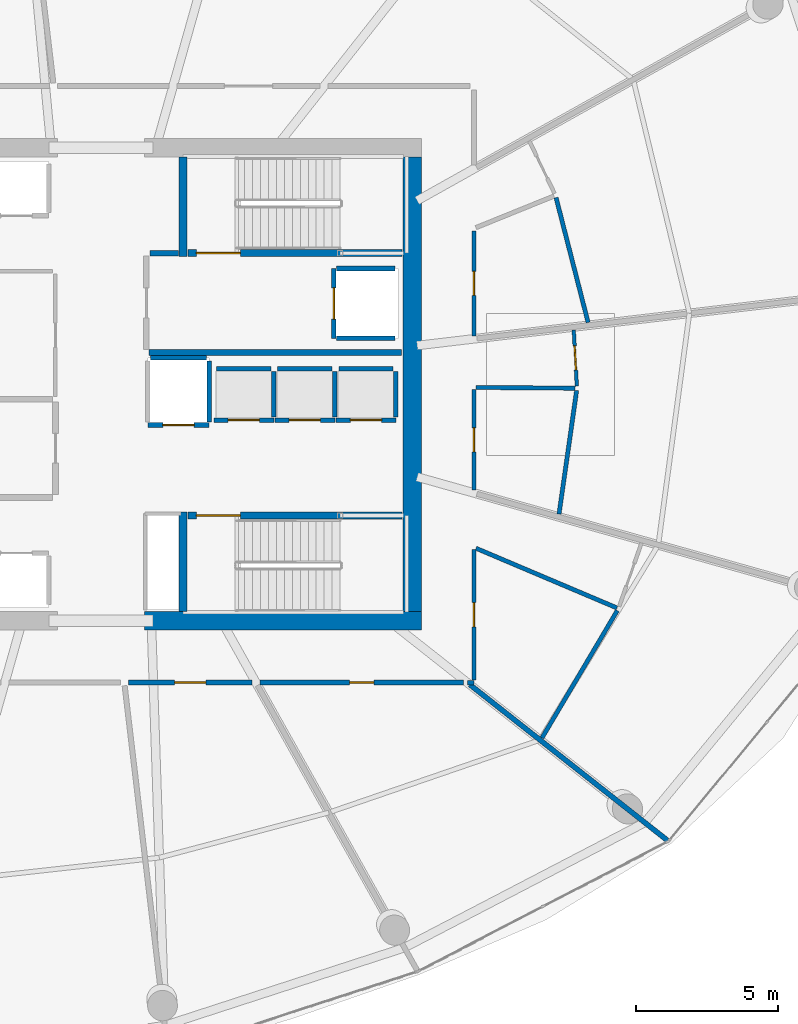
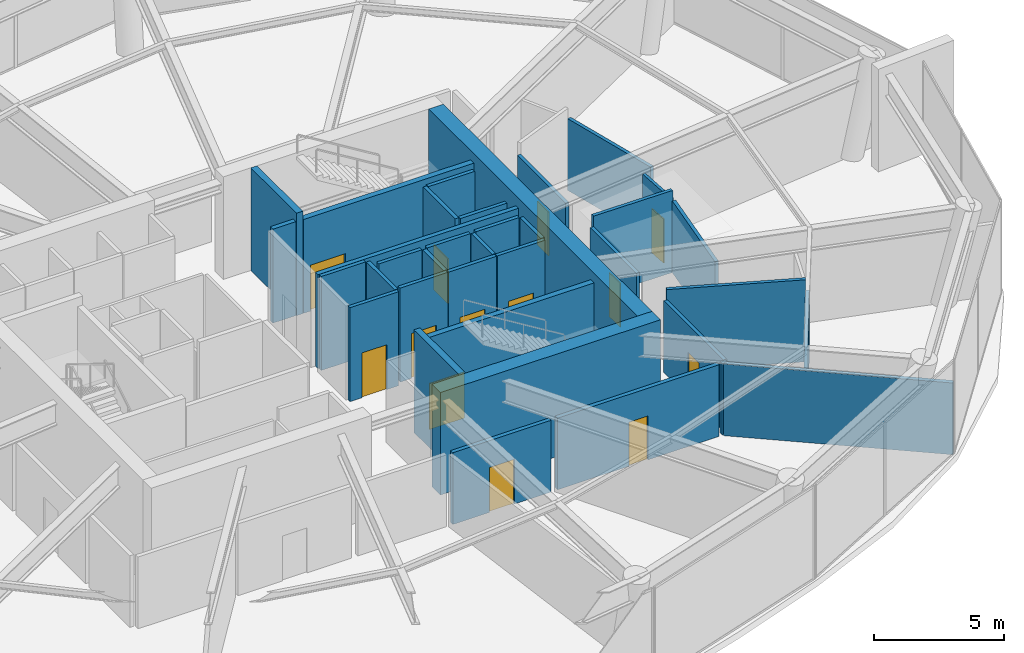
# One storey, part 18 of 22: 36 walls, 13 doors, 13 openings.
"""IFC4 building model written with IfcOpenShell, lengths in metres."""

from ifc_helpers import new_model, si_unit, direction, frame, frame_2d, origin, place, context, subcontext, project, spatial, rectangle, extrude, material, layer, layer_set, type_object, element, fill, save


model = new_model("IFC4")

# Units and contexts
model_context = context("Model", 3, precision=1e-05, world=origin(), true_north=direction((0.0, 1.0)))
body_context = subcontext(model_context, "Body", "Model", "MODEL_VIEW")
ifc_project = project(units=[si_unit("LENGTHUNIT", "METRE"), si_unit("AREAUNIT", "SQUARE_METRE"), si_unit("VOLUMEUNIT", "CUBIC_METRE"), si_unit("PLANEANGLEUNIT", "RADIAN"), si_unit("MASSUNIT", "GRAM", prefix="KILO")], contexts=[model_context])

# Site, building, storey
site_placement = place(None, origin())
site = spatial("IfcSite", under=ifc_project, at=site_placement, CompositionType="ELEMENT")
building_placement = place(site_placement, origin())
building = spatial("IfcBuilding", under=site, at=building_placement, Name="Kazma Halo Residences", CompositionType="ELEMENT")
storey_placement = place(building_placement, frame((0.0, 0.0, 231.89990234375)))
storey = spatial("IfcBuildingStorey", under=building, at=storey_placement, Name="L58", CompositionType="ELEMENT", Elevation=231.89990234375)

# Walls
ifc_material_1 = material(Name="Concrete C60/75", Category="concrete")
ifc_layer_1 = layer(ifc_material_1, 0.64990234375)
ifc_layer_set_1 = layer_set([ifc_layer_1], Name="Concrete C60/75")
wall_type_1 = type_object("IfcWallType", Name="WL-CORE-650", PredefinedType="SHEAR", material=ifc_layer_set_1)
wall_1_placement = place(storey_placement, frame((49.949951171875, 33.675048828125, 0.0), z_axis=(0.0, 0.0, 1.0), x_axis=(1.0, 0.0, 0.0)))
element("IfcWall", 1, at=wall_1_placement, inside=storey, type_object=wall_type_1, Name="L58 central core shear wall SE", PredefinedType="SHEAR", context=body_context, shape_type="SweptSolid", body=[
    extrude(rectangle(XDim=9.75, YDim=0.64990234375, at=frame_2d((4.875, 0.0))), origin(), (0.0, 0.0, 1.0), 4.800048828125),
])
wall_2_placement = place(storey_placement, frame((59.375, 34.0, 0.0), z_axis=(0.0, 0.0, 1.0), x_axis=(0.0, 1.0, 0.0)))
element("IfcWall", 2, at=wall_2_placement, inside=storey, type_object=wall_type_1, Name="L58 central core shear wall E", PredefinedType="SHEAR", context=body_context, shape_type="SweptSolid", body=[
    extrude(rectangle(XDim=16.0, YDim=0.64990234375, at=frame_2d((8.0, 0.0))), origin(), (0.0, 0.0, 1.0), 4.800048828125),
])
ifc_layer_2 = layer(ifc_material_1, 0.280029296875)
ifc_layer_set_2 = layer_set([ifc_layer_2], Name="Concrete C60/75")
wall_type_2 = type_object("IfcWallType", Name="WL-CORE-ST-280", PredefinedType="SHEAR", material=ifc_layer_set_2)
for number, where, z_axis, x_axis, name in (
    (3, (51.31005859375, 46.5, 0.0), (0.0, 0.0, 1.0), (0.0, 1.0, 0.0), "L58 stairwell bearing wall ST02-W"),
    (4, (51.31005859375, 34.0, 0.0), (0.0, 0.0, 1.0), (0.0, 1.0, 0.0), "L58 stairwell bearing wall ST03-W"),
):
    element("IfcWall", number, at=place(storey_placement, frame(where, z_axis=z_axis, x_axis=x_axis)), inside=storey, type_object=wall_type_2, Name=name, PredefinedType="SHEAR", context=body_context, shape_type="SweptSolid", body=[
        extrude(rectangle(XDim=3.5, YDim=0.280029296875, at=frame_2d((1.75, 0.0))), origin(), (0.0, 0.0, 1.0), 4.800048828125),
    ])

# Wall, opening, door
ifc_material_2 = material(Name="Acoustic Twin-Stud Gypsum")
ifc_layer_3 = layer(ifc_material_2, 0.179931640625)
ifc_layer_set_3 = layer_set([ifc_layer_3], Name="Acoustic Twin-Stud Gypsum")
wall_type_3 = type_object("IfcWallType", Name="WL-DEM-180", PredefinedType="PARTITIONING", material=ifc_layer_set_3)
wall_3_placement = place(storey_placement, frame((49.3828125, 31.5, 0.0), z_axis=(0.0, 0.0, 1.0), x_axis=(1.0, 0.0, 0.0)))
wall_3 = element("IfcWall", 5, at=wall_3_placement, inside=storey, type_object=wall_type_3, Name="L58 Private Chef Tasting Kitchen corridor wall", PredefinedType="PARTITIONING", context=body_context, shape_type="SweptSolid", body=[
    extrude(rectangle(XDim=4.357421875, YDim=0.179931640625, at=frame_2d((2.1787109375, 0.0))), origin(), (0.0, 0.0, 1.0), 3.357177734375),
])
opening_1_placement = place(wall_3_placement, frame((1.628662109375, 0.0, 0.0)))
opening_1 = element("IfcOpeningElement", 6, at=opening_1_placement, cuts=wall_3, Name="Opening DA-1100", PredefinedType="OPENING", context=body_context, shape_type="SweptSolid", body=[
    extrude(rectangle(XDim=1.10009765625, YDim=2.10009765625, at=frame_2d((0.550048828125, 1.050048828125))), frame((0.0, 0.099853515625, 0.0), z_axis=(0.0, -1.0, 0.0), x_axis=(1.0, 0.0, 0.0)), (0.0, 0.0, 1.0), 0.199951171875),
])
ifc_material_3 = material(Name="Acoustic Walnut Fire Leaf")
door_type_1 = type_object("IfcDoorType", Name="DR-FD60-1100", OperationType="NOTDEFINED", PredefinedType="DOOR", material=ifc_material_3)
door_1_placement = place(opening_1_placement, origin())
door_1 = element("IfcDoor", 7, at=door_1_placement, inside=storey, type_object=door_type_1, Name="L58 Private Chef Tasting Kitchen entrance door", OperationType="SINGLE_SWING_LEFT", OverallHeight=2.10009765625, OverallWidth=1.10009765625, PredefinedType="DOOR", context=body_context, shape_type="SweptSolid", body=[
    extrude(rectangle(XDim=1.10009765625, YDim=2.10009765625, at=frame_2d((0.550048828125, 1.050048828125))), frame((0.0, 0.02490234375, 0.0), z_axis=(0.0, -1.0, 0.0), x_axis=(1.0, 0.0, 0.0)), (0.0, 0.0, 1.0), 0.050048828125),
])
fill(opening_1, door_1)

wall_4_placement = place(storey_placement, frame((54.020263671875, 31.5, 0.0), z_axis=(0.0, 0.0, 1.0), x_axis=(1.0, 0.0, 0.0)))
wall_4 = element("IfcWall", 8, at=wall_4_placement, inside=storey, type_object=wall_type_3, Name="L58 Sky Sommelier Cellar Store corridor wall", PredefinedType="PARTITIONING", context=body_context, shape_type="SweptSolid", body=[
    extrude(rectangle(XDim=7.158935546875, YDim=0.179931640625, at=frame_2d((3.57958984375, 0.0))), origin(), (0.0, 0.0, 1.0), 3.357177734375),
])
opening_2_placement = place(wall_4_placement, frame((3.154541015625, 0.0, 0.0)))
opening_2 = element("IfcOpeningElement", 9, at=opening_2_placement, cuts=wall_4, Name="Opening DS-850", PredefinedType="OPENING", context=body_context, shape_type="SweptSolid", body=[
    extrude(rectangle(XDim=0.85009765625, YDim=2.06005859375, at=frame_2d((0.425048828125, 1.030029296875))), frame((0.0, 0.099853515625, 0.0), z_axis=(0.0, -1.0, 0.0), x_axis=(1.0, 0.0, 0.0)), (0.0, 0.0, 1.0), 0.199951171875),
])
ifc_material_4 = material(Name="Painted Steel Access Leaf", Category="steel")
door_type_2 = type_object("IfcDoorType", Name="DR-SVC-850", OperationType="NOTDEFINED", PredefinedType="DOOR", material=ifc_material_4)
door_2_placement = place(opening_2_placement, origin())
door_2 = element("IfcDoor", 10, at=door_2_placement, inside=storey, type_object=door_type_2, Name="L58 Sky Sommelier Cellar Store entrance door", OperationType="SINGLE_SWING_RIGHT", OverallHeight=2.06005859375, OverallWidth=0.85009765625, PredefinedType="DOOR", context=body_context, shape_type="SweptSolid", body=[
    extrude(rectangle(XDim=0.85009765625, YDim=2.06005859375, at=frame_2d((0.425048828125, 1.030029296875))), frame((0.0, 0.02490234375, 0.0), z_axis=(0.0, -1.0, 0.0), x_axis=(1.0, 0.0, 0.0)), (0.0, 0.0, 1.0), 0.050048828125),
])
fill(opening_2, door_2)

# Wall
wall_5_placement = place(storey_placement, frame((61.405517578125, 31.431884765625, 0.0), z_axis=(0.0, 0.0, 1.0), x_axis=(0.785320029671, -0.619090018493, 0.0)))
element("IfcWall", 11, at=wall_5_placement, inside=storey, type_object=wall_type_3, Name="L58 radial partition wall 13", PredefinedType="PARTITIONING", context=body_context, shape_type="SweptSolid", body=[
    extrude(rectangle(XDim=8.885498046875, YDim=0.179931640625, at=frame_2d((4.44287109375, 0.0))), origin(), (0.0, 0.0, 1.0), 3.357177734375),
])

# Wall, opening, door
ifc_material_5 = material(Name="Fire-Rated Blockwork Masonry", Category="masonry")
ifc_layer_4 = layer(ifc_material_5, 0.199951171875)
ifc_layer_set_4 = layer_set([ifc_layer_4], Name="Fire-Rated Blockwork Masonry")
wall_type_4 = type_object("IfcWallType", Name="WL-FLB-200", PredefinedType="PARTITIONING", material=ifc_layer_set_4)
wall_6_placement = place(storey_placement, frame((54.5048828125, 40.7451171875, 0.0), z_axis=(0.0, 0.0, 1.0), x_axis=(-1.0, 0.0, 0.0)))
wall_6 = element("IfcWall", 12, at=wall_6_placement, inside=storey, type_object=wall_type_4, Name="L58 lift shaft PH-01 front wall", PredefinedType="PARTITIONING", context=body_context, shape_type="SweptSolid", body=[
    extrude(rectangle(XDim=2.10986328125, YDim=0.159912109375, at=frame_2d((1.054931640625, 0.0))), origin(), (0.0, 0.0, 1.0), 4.400146484375),
])
opening_3_placement = place(wall_6_placement, frame((0.5048828125, 0.0, 0.0)))
opening_3 = element("IfcOpeningElement", 13, at=opening_3_placement, cuts=wall_6, Name="Opening LD-PH-01", PredefinedType="OPENING", context=body_context, shape_type="SweptSolid", body=[
    extrude(rectangle(XDim=1.10009765625, YDim=2.10009765625, at=frame_2d((0.550048828125, 1.050048828125))), frame((0.0, 0.08984375, 0.0), z_axis=(0.0, -1.0, 0.0), x_axis=(1.0, 0.0, 0.0)), (0.0, 0.0, 1.0), 0.179931640625),
])
ifc_material_6 = material(Name="Stainless Steel Fire-Rated", Category="steel")
door_type_3 = type_object("IfcDoorType", Name="DR-LIFT-SLD-1100", OperationType="DOUBLE_DOOR_SLIDING", PredefinedType="DOOR", material=ifc_material_6)
door_3_placement = place(opening_3_placement, origin())
door_3 = element("IfcDoor", 14, at=door_3_placement, inside=storey, type_object=door_type_3, Name="L58 lift PH-01 sliding landing door", OperationType="DOUBLE_DOOR_SLIDING", OverallHeight=2.10009765625, OverallWidth=1.10009765625, PredefinedType="DOOR", context=body_context, shape_type="SweptSolid", body=[
    extrude(rectangle(XDim=1.10009765625, YDim=2.10009765625, at=frame_2d((0.550048828125, 1.050048828125))), frame((0.0, 0.02490234375, 0.0), z_axis=(0.0, -1.0, 0.0), x_axis=(1.0, 0.0, 0.0)), (0.0, 0.0, 1.0), 0.050048828125),
])
fill(opening_3, door_3)

# Walls
wall_7_placement = place(storey_placement, frame((54.5048828125, 40.844970703125, 0.0), z_axis=(0.0, 0.0, 1.0), x_axis=(0.0, 1.0, 0.0)))
element("IfcWall", 15, at=wall_7_placement, inside=storey, type_object=wall_type_4, Name="L58 lift shaft PH-01 side wall E", PredefinedType="PARTITIONING", context=body_context, shape_type="SweptSolid", body=[
    extrude(rectangle(XDim=1.610107421875, YDim=0.159912109375, at=frame_2d((0.80517578125, 0.0))), origin(), (0.0, 0.0, 1.0), 4.400146484375),
])
wall_8_placement = place(storey_placement, frame((52.4951171875, 42.554931640625, 0.0), z_axis=(0.0, 0.0, 1.0), x_axis=(1.0, 0.0, 0.0)))
element("IfcWall", 16, at=wall_8_placement, inside=storey, type_object=wall_type_4, Name="L58 lift shaft PH-01 side wall N", PredefinedType="PARTITIONING", context=body_context, shape_type="SweptSolid", body=[
    extrude(rectangle(XDim=1.909912109375, YDim=0.159912109375, at=frame_2d((0.955078125, 0.0))), origin(), (0.0, 0.0, 1.0), 4.400146484375),
])

# Wall, opening, door
wall_9_placement = place(storey_placement, frame((56.655029296875, 40.7451171875, 0.0), z_axis=(0.0, 0.0, 1.0), x_axis=(-1.0, 0.0, 0.0)))
wall_9 = element("IfcWall", 17, at=wall_9_placement, inside=storey, type_object=wall_type_4, Name="L58 lift shaft PH-02 front wall", PredefinedType="PARTITIONING", context=body_context, shape_type="SweptSolid", body=[
    extrude(rectangle(XDim=2.110107421875, YDim=0.159912109375, at=frame_2d((1.05517578125, 0.0))), origin(), (0.0, 0.0, 1.0), 4.400146484375),
])
opening_4_placement = place(wall_9_placement, frame((0.5048828125, 0.0, 0.0)))
opening_4 = element("IfcOpeningElement", 18, at=opening_4_placement, cuts=wall_9, Name="Opening LD-PH-02", PredefinedType="OPENING", context=body_context, shape_type="SweptSolid", body=[
    extrude(rectangle(XDim=1.10009765625, YDim=2.10009765625, at=frame_2d((0.550048828125, 1.050048828125))), frame((0.0, 0.08984375, 0.0), z_axis=(0.0, -1.0, 0.0), x_axis=(1.0, 0.0, 0.0)), (0.0, 0.0, 1.0), 0.179931640625),
])
door_4_placement = place(opening_4_placement, origin())
door_4 = element("IfcDoor", 19, at=door_4_placement, inside=storey, type_object=door_type_3, Name="L58 lift PH-02 sliding landing door", OperationType="DOUBLE_DOOR_SLIDING", OverallHeight=2.10009765625, OverallWidth=1.10009765625, PredefinedType="DOOR", context=body_context, shape_type="SweptSolid", body=[
    extrude(rectangle(XDim=1.10009765625, YDim=2.10009765625, at=frame_2d((0.550048828125, 1.050048828125))), frame((0.0, 0.02490234375, 0.0), z_axis=(0.0, -1.0, 0.0), x_axis=(1.0, 0.0, 0.0)), (0.0, 0.0, 1.0), 0.050048828125),
])
fill(opening_4, door_4)

# Walls
wall_10_placement = place(storey_placement, frame((56.655029296875, 40.844970703125, 0.0), z_axis=(0.0, 0.0, 1.0), x_axis=(0.0, 1.0, 0.0)))
element("IfcWall", 20, at=wall_10_placement, inside=storey, type_object=wall_type_4, Name="L58 lift shaft PH-02 side wall E", PredefinedType="PARTITIONING", context=body_context, shape_type="SweptSolid", body=[
    extrude(rectangle(XDim=1.610107421875, YDim=0.159912109375, at=frame_2d((0.80517578125, 0.0))), origin(), (0.0, 0.0, 1.0), 4.400146484375),
])
wall_11_placement = place(storey_placement, frame((54.64501953125, 42.554931640625, 0.0), z_axis=(0.0, 0.0, 1.0), x_axis=(1.0, 0.0, 0.0)))
element("IfcWall", 21, at=wall_11_placement, inside=storey, type_object=wall_type_4, Name="L58 lift shaft PH-02 side wall N", PredefinedType="PARTITIONING", context=body_context, shape_type="SweptSolid", body=[
    extrude(rectangle(XDim=1.909912109375, YDim=0.159912109375, at=frame_2d((0.955078125, 0.0))), origin(), (0.0, 0.0, 1.0), 4.400146484375),
])

# Wall, opening, door
wall_12_placement = place(storey_placement, frame((58.804931640625, 40.7451171875, 0.0), z_axis=(0.0, 0.0, 1.0), x_axis=(-1.0, 0.0, 0.0)))
wall_12 = element("IfcWall", 22, at=wall_12_placement, inside=storey, type_object=wall_type_4, Name="L58 lift shaft PH-03 front wall", PredefinedType="PARTITIONING", context=body_context, shape_type="SweptSolid", body=[
    extrude(rectangle(XDim=2.10986328125, YDim=0.159912109375, at=frame_2d((1.054931640625, 0.0))), origin(), (0.0, 0.0, 1.0), 4.400146484375),
])
opening_5_placement = place(wall_12_placement, frame((0.5048828125, 0.0, 0.0)))
opening_5 = element("IfcOpeningElement", 23, at=opening_5_placement, cuts=wall_12, Name="Opening LD-PH-03", PredefinedType="OPENING", context=body_context, shape_type="SweptSolid", body=[
    extrude(rectangle(XDim=1.10009765625, YDim=2.10009765625, at=frame_2d((0.550048828125, 1.050048828125))), frame((0.0, 0.08984375, 0.0), z_axis=(0.0, -1.0, 0.0), x_axis=(1.0, 0.0, 0.0)), (0.0, 0.0, 1.0), 0.179931640625),
])
door_5_placement = place(opening_5_placement, origin())
door_5 = element("IfcDoor", 24, at=door_5_placement, inside=storey, type_object=door_type_3, Name="L58 lift PH-03 sliding landing door", OperationType="DOUBLE_DOOR_SLIDING", OverallHeight=2.10009765625, OverallWidth=1.10009765625, PredefinedType="DOOR", context=body_context, shape_type="SweptSolid", body=[
    extrude(rectangle(XDim=1.10009765625, YDim=2.10009765625, at=frame_2d((0.550048828125, 1.050048828125))), frame((0.0, 0.02490234375, 0.0), z_axis=(0.0, -1.0, 0.0), x_axis=(1.0, 0.0, 0.0)), (0.0, 0.0, 1.0), 0.050048828125),
])
fill(opening_5, door_5)

# Walls
wall_13_placement = place(storey_placement, frame((58.804931640625, 40.844970703125, 0.0), z_axis=(0.0, 0.0, 1.0), x_axis=(0.0, 1.0, 0.0)))
element("IfcWall", 25, at=wall_13_placement, inside=storey, type_object=wall_type_4, Name="L58 lift shaft PH-03 side wall E", PredefinedType="PARTITIONING", context=body_context, shape_type="SweptSolid", body=[
    extrude(rectangle(XDim=1.610107421875, YDim=0.159912109375, at=frame_2d((0.80517578125, 0.0))), origin(), (0.0, 0.0, 1.0), 4.400146484375),
])
wall_14_placement = place(storey_placement, frame((56.794921875, 42.554931640625, 0.0), z_axis=(0.0, 0.0, 1.0), x_axis=(1.0, 0.0, 0.0)))
element("IfcWall", 26, at=wall_14_placement, inside=storey, type_object=wall_type_4, Name="L58 lift shaft PH-03 side wall N", PredefinedType="PARTITIONING", context=body_context, shape_type="SweptSolid", body=[
    extrude(rectangle(XDim=1.91015625, YDim=0.159912109375, at=frame_2d((0.955078125, 0.0))), origin(), (0.0, 0.0, 1.0), 4.400146484375),
])

# Wall, opening, door
wall_15_placement = place(storey_placement, frame((56.6201171875, 46.080078125, 0.0), z_axis=(0.0, 0.0, 1.0), x_axis=(0.0, -1.0, 0.0)))
wall_15 = element("IfcWall", 27, at=wall_15_placement, inside=storey, type_object=wall_type_4, Name="L58 lift shaft FL-02 front wall", PredefinedType="PARTITIONING", context=body_context, shape_type="SweptSolid", body=[
    extrude(rectangle(XDim=2.4599609375, YDim=0.159912109375, at=frame_2d((1.22998046875, 0.0))), origin(), (0.0, 0.0, 1.0), 4.400146484375),
])
opening_6_placement = place(wall_15_placement, frame((0.679931640625, 0.0, 0.0)))
opening_6 = element("IfcOpeningElement", 28, at=opening_6_placement, cuts=wall_15, Name="Opening LD-FL-02", PredefinedType="OPENING", context=body_context, shape_type="SweptSolid", body=[
    extrude(rectangle(XDim=1.10009765625, YDim=2.10009765625, at=frame_2d((0.550048828125, 1.050048828125))), frame((0.0, 0.08984375, 0.0), z_axis=(0.0, -1.0, 0.0), x_axis=(1.0, 0.0, 0.0)), (0.0, 0.0, 1.0), 0.179931640625),
])
door_6_placement = place(opening_6_placement, origin())
door_6 = element("IfcDoor", 29, at=door_6_placement, inside=storey, type_object=door_type_3, Name="L58 lift FL-02 sliding landing door", OperationType="DOUBLE_DOOR_SLIDING", OverallHeight=2.10009765625, OverallWidth=1.10009765625, PredefinedType="DOOR", context=body_context, shape_type="SweptSolid", body=[
    extrude(rectangle(XDim=1.10009765625, YDim=2.10009765625, at=frame_2d((0.550048828125, 1.050048828125))), frame((0.0, 0.02490234375, 0.0), z_axis=(0.0, -1.0, 0.0), x_axis=(1.0, 0.0, 0.0)), (0.0, 0.0, 1.0), 0.050048828125),
])
fill(opening_6, door_6)

# Walls
for number, where, z_axis, x_axis, name in (
    (30, (56.719970703125, 46.080078125, 0.0), (0.0, 0.0, 1.0), (1.0, 0.0, 0.0), "L58 lift shaft FL-02 side wall N"),
    (31, (56.719970703125, 43.6201171875, 0.0), (0.0, 0.0, 1.0), (1.0, 0.0, 0.0), "L58 lift shaft FL-02 side wall S"),
):
    element("IfcWall", number, at=place(storey_placement, frame(where, z_axis=z_axis, x_axis=x_axis)), inside=storey, type_object=wall_type_4, Name=name, PredefinedType="PARTITIONING", context=body_context, shape_type="SweptSolid", body=[
        extrude(rectangle(XDim=2.06005859375, YDim=0.159912109375, at=frame_2d((1.030029296875, 0.0))), origin(), (0.0, 0.0, 1.0), 4.400146484375),
    ])

# Wall, opening, door
wall_16_placement = place(storey_placement, frame((52.22998046875, 40.570068359375, 0.0), z_axis=(0.0, 0.0, 1.0), x_axis=(-1.0, 0.0, 0.0)))
wall_16 = element("IfcWall", 32, at=wall_16_placement, inside=storey, type_object=wall_type_4, Name="L58 lift shaft SV-01 front wall", PredefinedType="PARTITIONING", context=body_context, shape_type="SweptSolid", body=[
    extrude(rectangle(XDim=2.159912109375, YDim=0.159912109375, at=frame_2d((1.080078125, 0.0))), origin(), (0.0, 0.0, 1.0), 4.400146484375),
])
opening_7_placement = place(wall_16_placement, frame((0.530029296875, 0.0, 0.0)))
opening_7 = element("IfcOpeningElement", 33, at=opening_7_placement, cuts=wall_16, Name="Opening LD-SV-01", PredefinedType="OPENING", context=body_context, shape_type="SweptSolid", body=[
    extrude(rectangle(XDim=1.10009765625, YDim=2.10009765625, at=frame_2d((0.550048828125, 1.050048828125))), frame((0.0, 0.08984375, 0.0), z_axis=(0.0, -1.0, 0.0), x_axis=(1.0, 0.0, 0.0)), (0.0, 0.0, 1.0), 0.179931640625),
])
door_7_placement = place(opening_7_placement, origin())
door_7 = element("IfcDoor", 34, at=door_7_placement, inside=storey, type_object=door_type_3, Name="L58 lift SV-01 sliding landing door", OperationType="DOUBLE_DOOR_SLIDING", OverallHeight=2.10009765625, OverallWidth=1.10009765625, PredefinedType="DOOR", context=body_context, shape_type="SweptSolid", body=[
    extrude(rectangle(XDim=1.10009765625, YDim=2.10009765625, at=frame_2d((0.550048828125, 1.050048828125))), frame((0.0, 0.02490234375, 0.0), z_axis=(0.0, -1.0, 0.0), x_axis=(1.0, 0.0, 0.0)), (0.0, 0.0, 1.0), 0.050048828125),
])
fill(opening_7, door_7)

# Walls
wall_17_placement = place(storey_placement, frame((52.22998046875, 40.669921875, 0.0), z_axis=(0.0, 0.0, 1.0), x_axis=(0.0, 1.0, 0.0)))
element("IfcWall", 35, at=wall_17_placement, inside=storey, type_object=wall_type_4, Name="L58 lift shaft SV-01 side wall E", PredefinedType="PARTITIONING", context=body_context, shape_type="SweptSolid", body=[
    extrude(rectangle(XDim=2.16015625, YDim=0.159912109375, at=frame_2d((1.080078125, 0.0))), origin(), (0.0, 0.0, 1.0), 4.400146484375),
])
wall_18_placement = place(storey_placement, frame((50.169921875, 42.929931640625, 0.0), z_axis=(0.0, 0.0, 1.0), x_axis=(1.0, 0.0, 0.0)))
element("IfcWall", 36, at=wall_18_placement, inside=storey, type_object=wall_type_4, Name="L58 lift shaft SV-01 side wall N", PredefinedType="PARTITIONING", context=body_context, shape_type="SweptSolid", body=[
    extrude(rectangle(XDim=1.9599609375, YDim=0.159912109375, at=frame_2d((0.97998046875, 0.0))), origin(), (0.0, 0.0, 1.0), 4.400146484375),
])
wall_19_placement = place(storey_placement, frame((50.1201171875, 43.1201171875, 0.0), z_axis=(0.0, 0.0, 1.0), x_axis=(1.0, 0.0, 0.0)))
element("IfcWall", 37, at=wall_19_placement, inside=storey, type_object=wall_type_4, Name="L58 east firefighting lobby south smoke wall", PredefinedType="PARTITIONING", context=body_context, shape_type="SweptSolid", body=[
    extrude(rectangle(XDim=8.8798828125, YDim=0.199951171875, at=frame_2d((4.43994140625, 0.0))), origin(), (0.0, 0.0, 1.0), 4.400146484375),
])
wall_20_placement = place(storey_placement, frame((50.139892578125, 46.6201171875, 0.0), z_axis=(0.0, 0.0, 1.0), x_axis=(1.0, 0.0, 0.0)))
element("IfcWall", 38, at=wall_20_placement, inside=storey, type_object=wall_type_4, Name="L58 east firefighting lobby north closure wall", PredefinedType="PARTITIONING", context=body_context, shape_type="SweptSolid", body=[
    extrude(rectangle(XDim=1.02001953125, YDim=0.199951171875, at=frame_2d((0.510009765625, 0.0))), origin(), (0.0, 0.0, 1.0), 4.400146484375),
])

# Wall, opening, door
ifc_material_7 = material(Name="Gypsum Plasterboard Partition")
ifc_layer_5 = layer(ifc_material_7, 0.125)
ifc_layer_set_5 = layer_set([ifc_layer_5], Name="Gypsum Plasterboard Partition")
wall_type_5 = type_object("IfcWallType", Name="WL-PART-125", PredefinedType="PARTITIONING", material=ifc_layer_set_5)
wall_21_placement = place(storey_placement, frame((65.174072265625, 41.945068359375, 0.0), z_axis=(0.0, 0.0, 1.0), x_axis=(-0.054943466399, 0.998489466895, 0.0)))
wall_21 = element("IfcWall", 39, at=wall_21_placement, inside=storey, type_object=wall_type_5, Name="L58 supply store wall", PredefinedType="PARTITIONING", context=body_context, shape_type="SweptSolid", body=[
    extrude(rectangle(XDim=1.977294921875, YDim=0.125, at=frame_2d((0.98876953125, 0.0))), origin(), (0.0, 0.0, 1.0), 3.357177734375),
])
opening_8_placement = place(wall_21_placement, frame((0.563720703125, 0.0, 0.0)))
opening_8 = element("IfcOpeningElement", 40, at=opening_8_placement, cuts=wall_21, Name="Opening DS-850", PredefinedType="OPENING", context=body_context, shape_type="SweptSolid", body=[
    extrude(rectangle(XDim=0.85009765625, YDim=2.06005859375, at=frame_2d((0.425048828125, 1.030029296875))), frame((0.0, 0.072509765625, 0.0), z_axis=(0.0, -1.0, 0.0), x_axis=(1.0, 0.0, 0.0)), (0.0, 0.0, 1.0), 0.14501953125),
])
door_8_placement = place(opening_8_placement, origin())
door_8 = element("IfcDoor", 41, at=door_8_placement, inside=storey, type_object=door_type_2, Name="L58 supply store door", OperationType="SINGLE_SWING_LEFT", OverallHeight=2.06005859375, OverallWidth=0.85009765625, PredefinedType="DOOR", context=body_context, shape_type="SweptSolid", body=[
    extrude(rectangle(XDim=0.85009765625, YDim=2.06005859375, at=frame_2d((0.425048828125, 1.030029296875))), frame((0.0, 0.02490234375, 0.0), z_axis=(0.0, -1.0, 0.0), x_axis=(1.0, 0.0, 0.0)), (0.0, 0.0, 1.0), 0.050048828125),
])
fill(opening_8, door_8)

ifc_material_8 = material(Name="Concrete C50/60", Category="concrete")
ifc_layer_6 = layer(ifc_material_8, 0.25)
ifc_layer_set_6 = layer_set([ifc_layer_6], Name="Concrete C50/60")
wall_type_6 = type_object("IfcWallType", Name="WL-SHF-250", PredefinedType="SOLIDWALL", material=ifc_layer_set_6)
wall_22_placement = place(storey_placement, frame((51.47998046875, 46.6201171875, 0.0), z_axis=(0.0, 0.0, 1.0), x_axis=(1.0, 0.0, 0.0)))
wall_22 = element("IfcWall", 42, at=wall_22_placement, inside=storey, type_object=wall_type_6, Name="L58 exit stair ST-02 enclosure wall", PredefinedType="SOLIDWALL", context=body_context, shape_type="SweptSolid", body=[
    extrude(rectangle(XDim=7.5400390625, YDim=0.25, at=frame_2d((3.77001953125, 0.0))), origin(), (0.0, 0.0, 1.0), 4.400146484375),
])
opening_9_placement = place(wall_22_placement, frame((0.300048828125, 0.0, 0.0)))
opening_9 = element("IfcOpeningElement", 43, at=opening_9_placement, cuts=wall_22, Name="Opening D-ST2", PredefinedType="OPENING", context=body_context, shape_type="SweptSolid", body=[
    extrude(rectangle(XDim=1.550048828125, YDim=2.14990234375, at=frame_2d((0.77490234375, 1.074951171875))), frame((0.0, 0.135009765625, 0.0), z_axis=(0.0, -1.0, 0.0), x_axis=(1.0, 0.0, 0.0)), (0.0, 0.0, 1.0), 0.27001953125),
])
ifc_material_9 = material(Name="Fire-Rated Double Steel Leaf", Category="steel")
door_type_4 = type_object("IfcDoorType", Name="DR-FD90-1550", OperationType="NOTDEFINED", PredefinedType="DOOR", material=ifc_material_9)
door_9_placement = place(opening_9_placement, origin())
door_9 = element("IfcDoor", 44, at=door_9_placement, inside=storey, type_object=door_type_4, Name="L58 exit stair ST-02 fire door", OperationType="DOUBLE_DOOR_SINGLE_SWING", OverallHeight=2.14990234375, OverallWidth=1.550048828125, PredefinedType="DOOR", context=body_context, shape_type="SweptSolid", body=[
    extrude(rectangle(XDim=1.550048828125, YDim=2.14990234375, at=frame_2d((0.77490234375, 1.074951171875))), frame((0.0, 0.02490234375, 0.0), z_axis=(0.0, -1.0, 0.0), x_axis=(1.0, 0.0, 0.0)), (0.0, 0.0, 1.0), 0.050048828125),
])
fill(opening_9, door_9)

wall_23_placement = place(storey_placement, frame((51.47998046875, 37.3798828125, 0.0), z_axis=(0.0, 0.0, 1.0), x_axis=(1.0, 0.0, 0.0)))
wall_23 = element("IfcWall", 45, at=wall_23_placement, inside=storey, type_object=wall_type_6, Name="L58 exit stair ST-03 enclosure wall", PredefinedType="SOLIDWALL", context=body_context, shape_type="SweptSolid", body=[
    extrude(rectangle(XDim=7.5400390625, YDim=0.25, at=frame_2d((3.77001953125, 0.0))), origin(), (0.0, 0.0, 1.0), 4.400146484375),
])
opening_10_placement = place(wall_23_placement, frame((0.300048828125, 0.0, 0.0)))
opening_10 = element("IfcOpeningElement", 46, at=opening_10_placement, cuts=wall_23, Name="Opening D-ST3", PredefinedType="OPENING", context=body_context, shape_type="SweptSolid", body=[
    extrude(rectangle(XDim=1.550048828125, YDim=2.14990234375, at=frame_2d((0.77490234375, 1.074951171875))), frame((0.0, 0.135009765625, 0.0), z_axis=(0.0, -1.0, 0.0), x_axis=(1.0, 0.0, 0.0)), (0.0, 0.0, 1.0), 0.27001953125),
])
door_10_placement = place(opening_10_placement, origin())
door_10 = element("IfcDoor", 47, at=door_10_placement, inside=storey, type_object=door_type_4, Name="L58 exit stair ST-03 fire door", OperationType="DOUBLE_DOOR_SINGLE_SWING", OverallHeight=2.14990234375, OverallWidth=1.550048828125, PredefinedType="DOOR", context=body_context, shape_type="SweptSolid", body=[
    extrude(rectangle(XDim=1.550048828125, YDim=2.14990234375, at=frame_2d((0.77490234375, 1.074951171875))), frame((0.0, 0.02490234375, 0.0), z_axis=(0.0, -1.0, 0.0), x_axis=(1.0, 0.0, 0.0)), (0.0, 0.0, 1.0), 0.050048828125),
])
fill(opening_10, door_10)

# Wall
ifc_material_10 = material(Name="Moisture-Resistant Gypsum")
ifc_layer_7 = layer(ifc_material_10, 0.14990234375)
ifc_layer_set_7 = layer_set([ifc_layer_7], Name="Moisture-Resistant Gypsum")
wall_type_7 = type_object("IfcWallType", Name="WL-WET-150", PredefinedType="PARTITIONING", material=ifc_layer_set_7)
wall_24_placement = place(storey_placement, frame((61.319091796875, 31.5, 0.0), z_axis=(0.0, 0.0, 1.0), x_axis=(1.0, 0.0, 0.0)))
element("IfcWall", 48, at=wall_24_placement, inside=storey, type_object=wall_type_7, Name="L58 Upper Sky Male WC corridor wall", PredefinedType="PARTITIONING", context=body_context, shape_type="SweptSolid", body=[
    extrude(rectangle(XDim=0.23095703125, YDim=0.14990234375, at=frame_2d((0.115478515625, 0.0))), origin(), (0.0, 0.0, 1.0), 3.357177734375),
])

# Wall, opening, door
wall_25_placement = place(storey_placement, frame((61.550048828125, 31.60009765625, 0.0), z_axis=(0.0, 0.0, 1.0), x_axis=(0.0, 1.0, 0.0)))
wall_25 = element("IfcWall", 49, at=wall_25_placement, inside=storey, type_object=wall_type_7, Name="L58 Upper Sky Male WC corridor wall", PredefinedType="PARTITIONING", context=body_context, shape_type="SweptSolid", body=[
    extrude(rectangle(XDim=4.582275390625, YDim=0.14990234375, at=frame_2d((2.291015625, 0.0))), origin(), (0.0, 0.0, 1.0), 3.357177734375),
])
opening_11_placement = place(wall_25_placement, frame((1.8662109375, 0.0, 0.0)))
opening_11 = element("IfcOpeningElement", 50, at=opening_11_placement, cuts=wall_25, Name="Opening DB-900", PredefinedType="OPENING", context=body_context, shape_type="SweptSolid", body=[
    extrude(rectangle(XDim=0.85009765625, YDim=2.06005859375, at=frame_2d((0.425048828125, 1.030029296875))), frame((0.0, 0.0849609375, 0.0), z_axis=(0.0, -1.0, 0.0), x_axis=(1.0, 0.0, 0.0)), (0.0, 0.0, 1.0), 0.169921875),
])
ifc_material_11 = material(Name="Moisture-Sealed Timber Leaf", Category="wood")
door_type_5 = type_object("IfcDoorType", Name="DR-BTH-900", OperationType="NOTDEFINED", PredefinedType="DOOR", material=ifc_material_11)
door_11_placement = place(opening_11_placement, origin())
door_11 = element("IfcDoor", 51, at=door_11_placement, inside=storey, type_object=door_type_5, Name="L58 Upper Sky Male WC door", OperationType="SINGLE_SWING_LEFT", OverallHeight=2.06005859375, OverallWidth=0.85009765625, PredefinedType="DOOR", context=body_context, shape_type="SweptSolid", body=[
    extrude(rectangle(XDim=0.85009765625, YDim=2.06005859375, at=frame_2d((0.425048828125, 1.030029296875))), frame((0.0, 0.02490234375, 0.0), z_axis=(0.0, -1.0, 0.0), x_axis=(1.0, 0.0, 0.0)), (0.0, 0.0, 1.0), 0.050048828125),
])
fill(opening_11, door_11)

# Walls
wall_26_placement = place(storey_placement, frame((61.623779296875, 36.231201171875, 0.0), z_axis=(0.0, 0.0, 1.0), x_axis=(0.920845235871, -0.389928264651, 0.0)))
element("IfcWall", 52, at=wall_26_placement, inside=storey, type_object=wall_type_7, Name="L58 Upper Sky Male WC side wall", PredefinedType="PARTITIONING", context=body_context, shape_type="SweptSolid", body=[
    extrude(rectangle(XDim=5.38720703125, YDim=0.14990234375, at=frame_2d((2.693603515625, 0.0))), origin(), (0.0, 0.0, 1.0), 3.840087890625),
])
wall_27_placement = place(storey_placement, frame((63.947265625, 29.554443359375, 0.0), z_axis=(0.0, 0.0, 1.0), x_axis=(0.509075071614, 0.860722122094, 0.0)))
element("IfcWall", 53, at=wall_27_placement, inside=storey, type_object=wall_type_7, Name="L58 Upper Sky Male WC back wall", PredefinedType="PARTITIONING", context=body_context, shape_type="SweptSolid", body=[
    extrude(rectangle(XDim=5.209228515625, YDim=0.14990234375, at=frame_2d((2.6044921875, 0.0))), origin(), (0.0, 0.0, 1.0), 3.357177734375),
])

# Wall, opening, door
wall_28_placement = place(storey_placement, frame((61.550048828125, 38.278564453125, 0.0), z_axis=(0.0, 0.0, 1.0), x_axis=(0.0, 1.0, 0.0)))
wall_28 = element("IfcWall", 54, at=wall_28_placement, inside=storey, type_object=wall_type_7, Name="L58 Upper Sky Female WC corridor wall", PredefinedType="PARTITIONING", context=body_context, shape_type="SweptSolid", body=[
    extrude(rectangle(XDim=3.53515625, YDim=0.14990234375, at=frame_2d((1.767578125, 0.0))), origin(), (0.0, 0.0, 1.0), 3.357177734375),
])
opening_12_placement = place(wall_28_placement, frame((1.342529296875, 0.0, 0.0)))
opening_12 = element("IfcOpeningElement", 55, at=opening_12_placement, cuts=wall_28, Name="Opening DB-900", PredefinedType="OPENING", context=body_context, shape_type="SweptSolid", body=[
    extrude(rectangle(XDim=0.85009765625, YDim=2.06005859375, at=frame_2d((0.425048828125, 1.030029296875))), frame((0.0, 0.0849609375, 0.0), z_axis=(0.0, -1.0, 0.0), x_axis=(1.0, 0.0, 0.0)), (0.0, 0.0, 1.0), 0.169921875),
])
door_12_placement = place(opening_12_placement, origin())
door_12 = element("IfcDoor", 56, at=door_12_placement, inside=storey, type_object=door_type_5, Name="L58 Upper Sky Female WC door", OperationType="SINGLE_SWING_RIGHT", OverallHeight=2.06005859375, OverallWidth=0.85009765625, PredefinedType="DOOR", context=body_context, shape_type="SweptSolid", body=[
    extrude(rectangle(XDim=0.85009765625, YDim=2.06005859375, at=frame_2d((0.425048828125, 1.030029296875))), frame((0.0, 0.02490234375, 0.0), z_axis=(0.0, -1.0, 0.0), x_axis=(1.0, 0.0, 0.0)), (0.0, 0.0, 1.0), 0.050048828125),
])
fill(opening_12, door_12)

# Walls
wall_29_placement = place(storey_placement, frame((61.6298828125, 41.89306640625, 0.0), z_axis=(0.0, 0.0, 1.0), x_axis=(0.999968731802, -0.007907933844, 0.0)))
element("IfcWall", 57, at=wall_29_placement, inside=storey, type_object=wall_type_7, Name="L58 Upper Sky Female WC side wall", PredefinedType="PARTITIONING", context=body_context, shape_type="SweptSolid", body=[
    extrude(rectangle(XDim=3.488525390625, YDim=0.14990234375, at=frame_2d((1.744140625, 0.0))), origin(), (0.0, 0.0, 1.0), 3.840087890625),
])
wall_30_placement = place(storey_placement, frame((64.548095703125, 37.435791015625, 0.0), z_axis=(0.0, 0.0, 1.0), x_axis=(0.140907934492, 0.990022703779, 0.0)))
element("IfcWall", 58, at=wall_30_placement, inside=storey, type_object=wall_type_7, Name="L58 Upper Sky Female WC back wall", PredefinedType="PARTITIONING", context=body_context, shape_type="SweptSolid", body=[
    extrude(rectangle(XDim=4.39404296875, YDim=0.14990234375, at=frame_2d((2.197021484375, 0.0))), origin(), (0.0, 0.0, 1.0), 3.357177734375),
])

# Wall, opening, door
wall_31_placement = place(storey_placement, frame((61.550048828125, 43.70361328125, 0.0), z_axis=(0.0, 0.0, 1.0), x_axis=(0.0, 1.0, 0.0)))
wall_31 = element("IfcWall", 59, at=wall_31_placement, inside=storey, type_object=wall_type_7, Name="L58 Upper Sky Accessible WC corridor wall", PredefinedType="PARTITIONING", context=body_context, shape_type="SweptSolid", body=[
    extrude(rectangle(XDim=3.70458984375, YDim=0.14990234375, at=frame_2d((1.852294921875, 0.0))), origin(), (0.0, 0.0, 1.0), 3.357177734375),
])
opening_13_placement = place(wall_31_placement, frame((1.42724609375, 0.0, 0.0)))
opening_13 = element("IfcOpeningElement", 60, at=opening_13_placement, cuts=wall_31, Name="Opening DB-900", PredefinedType="OPENING", context=body_context, shape_type="SweptSolid", body=[
    extrude(rectangle(XDim=0.85009765625, YDim=2.06005859375, at=frame_2d((0.425048828125, 1.030029296875))), frame((0.0, 0.0849609375, 0.0), z_axis=(0.0, -1.0, 0.0), x_axis=(1.0, 0.0, 0.0)), (0.0, 0.0, 1.0), 0.169921875),
])
door_13_placement = place(opening_13_placement, origin())
door_13 = element("IfcDoor", 61, at=door_13_placement, inside=storey, type_object=door_type_5, Name="L58 Upper Sky Accessible WC door", OperationType="SINGLE_SWING_LEFT", OverallHeight=2.06005859375, OverallWidth=0.85009765625, PredefinedType="DOOR", context=body_context, shape_type="SweptSolid", body=[
    extrude(rectangle(XDim=0.85009765625, YDim=2.06005859375, at=frame_2d((0.425048828125, 1.030029296875))), frame((0.0, 0.02490234375, 0.0), z_axis=(0.0, -1.0, 0.0), x_axis=(1.0, 0.0, 0.0)), (0.0, 0.0, 1.0), 0.050048828125),
])
fill(opening_13, door_13)

# Wall
wall_32_placement = place(storey_placement, frame((65.5712890625, 44.179443359375, 0.0), z_axis=(0.0, 0.0, 1.0), x_axis=(-0.248683426178, 0.968584820005, 0.0)))
element("IfcWall", 62, at=wall_32_placement, inside=storey, type_object=wall_type_7, Name="L58 Upper Sky Accessible WC back wall", PredefinedType="PARTITIONING", context=body_context, shape_type="SweptSolid", body=[
    extrude(rectangle(XDim=4.53759765625, YDim=0.14990234375, at=frame_2d((2.268798828125, 0.0))), origin(), (0.0, 0.0, 1.0), 3.357177734375),
])

save(model, "model.ifc")
